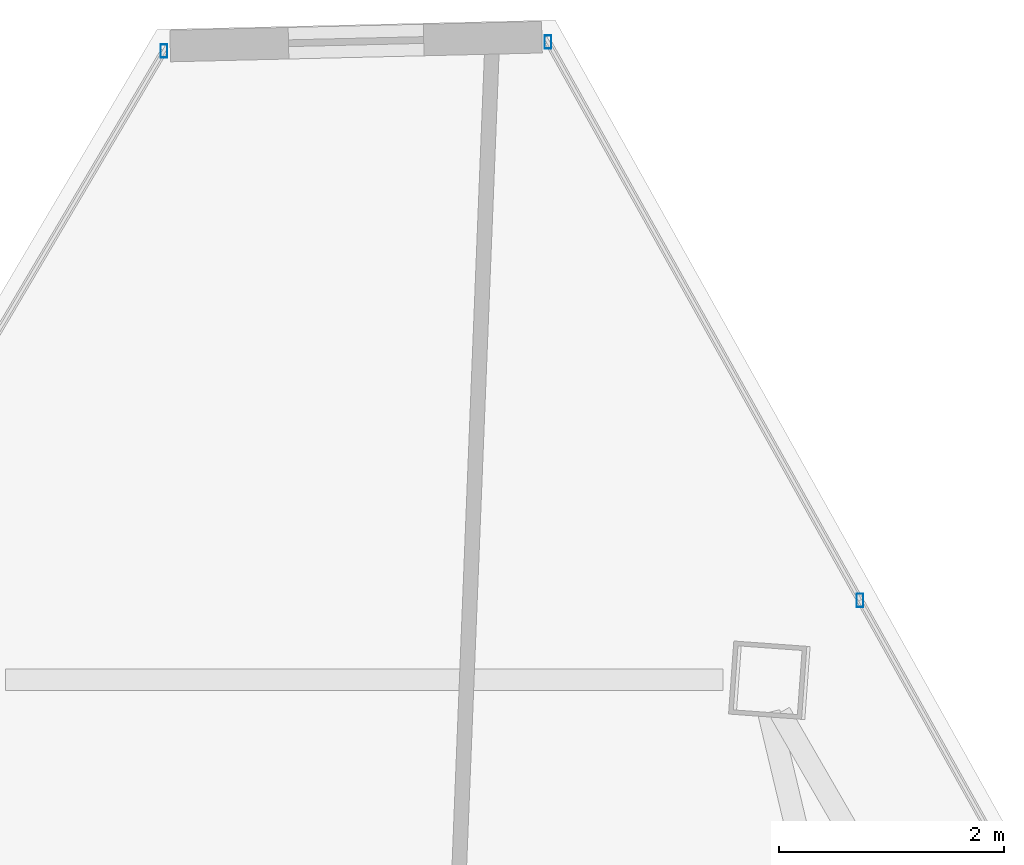
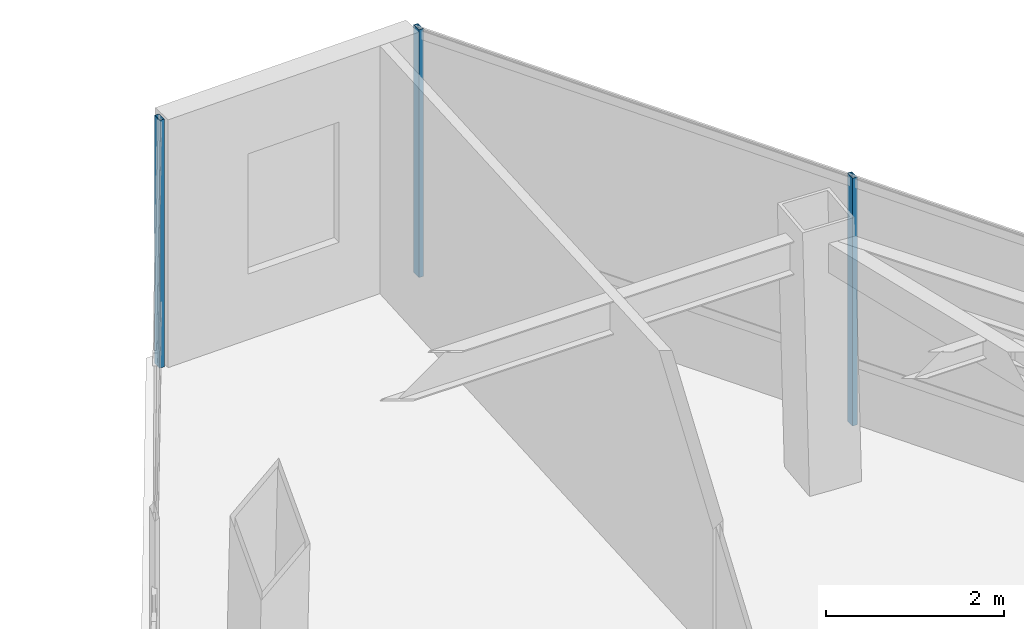
# One storey, part 36 of 45: 3 members, 2 elements without a shape of their own.
"""IFC4 building model written with IfcOpenShell, lengths in metres."""

from ifc_helpers import new_model, si_unit, direction, frame, origin, origin_2d, place, context, subcontext, project, spatial, hollow_rectangle, extrude, source, transform, mapped, material, material_profile, profile_set, type_object, type_shapes, element, aggregate, save


model = new_model("IFC4")

# Units and contexts
model_context = context("Model", 3, precision=1e-05, world=origin(), true_north=direction((0.0, 1.0)))
body_context = subcontext(model_context, "Body", "Model", "MODEL_VIEW")
ifc_project = project(units=[si_unit("LENGTHUNIT", "METRE"), si_unit("AREAUNIT", "SQUARE_METRE"), si_unit("VOLUMEUNIT", "CUBIC_METRE"), si_unit("PLANEANGLEUNIT", "RADIAN"), si_unit("MASSUNIT", "GRAM", prefix="KILO")], contexts=[model_context])

# Site, building, storey
site_placement = place(None, origin())
site = spatial("IfcSite", under=ifc_project, at=site_placement, CompositionType="ELEMENT")
building_placement = place(site_placement, origin())
building = spatial("IfcBuilding", under=site, at=building_placement, Name="Caelisora Broadcast Tower", CompositionType="ELEMENT")
storey_placement = place(building_placement, frame((0.0, 0.0, 266.35009765625)))
storey = spatial("IfcBuildingStorey", under=building, at=storey_placement, Name="L70", CompositionType="ELEMENT", Elevation=266.35009765625)

# Curtain wall, members
ifc_material_1 = material(Name="Unitised Aluminium and Low-E Glass Curtain Wall", Category="glass")
curtain_wall_type = type_object("IfcCurtainWallType", Name="CW-Z5", PredefinedType="NOTDEFINED", material=ifc_material_1)
curtain_wall_1_placement = place(storey_placement, origin())
curtain_wall_1 = element("IfcCurtainWall", 1, at=curtain_wall_1_placement, inside=storey, type_object=curtain_wall_type, Name="L70 curtain wall CW-Z5", PredefinedType="NOTDEFINED")
ifc_material_2 = material(Name="Aluminium 6063-T6 Anodised Terracotta Bronze", Category="aluminium")
ifc_material_profile = material_profile(ifc_material_2, hollow_rectangle(XDim=0.06005859375, YDim=0.1201171875, WallThickness=0.0029296875, at=origin_2d()), Name="Aluminium 6063-T6 Anodised Terracotta Bronze")
ifc_profile_set = profile_set([ifc_material_profile], Name="Aluminium 6063-T6 Anodised Terracotta Bronze")
member_type = type_object("IfcMemberType", Name="CWM-04", PredefinedType="MULLION", material=ifc_profile_set)
shared_shape = source(origin(), body_context, "Body", "SweptSolid", [
    extrude(hollow_rectangle(XDim=0.06005859375, YDim=0.1201171875, WallThickness=0.0029296875, at=origin_2d()), origin(), (0.0, 0.0, 1.0), 3.39990234375),
])
type_shapes(member_type, [shared_shape])
member_1_placement = place(storey_placement, frame((39.63037109375, 52.357421875, 0.0), z_axis=(0.0, 0.0, 1.0), x_axis=(1.0, 0.0, 0.0)))
member_1 = element("IfcMember", 2, at=member_1_placement, type_object=member_type, Name="L70-CW-B01 mullion #0", PredefinedType="MULLION", context=body_context, shape_type="MappedRepresentation", body=[
    mapped(shared_shape, transform((0.0, 0.0, 0.0), scale=1.0)),
])
member_2_placement = place(storey_placement, frame((42.399169921875, 47.402587890625, 0.0), z_axis=(0.0, 0.0, 1.0), x_axis=(1.0, 0.0, 0.0)))
member_2 = element("IfcMember", 3, at=member_2_placement, type_object=member_type, Name="L70-CW-B01 mullion #1", PredefinedType="MULLION", context=body_context, shape_type="MappedRepresentation", body=[
    mapped(shared_shape, transform((0.0, 0.0, 0.0), scale=1.0)),
])
aggregate(curtain_wall_1, [member_1, member_2])

# Curtain wall, member
curtain_wall_2_placement = place(storey_placement, origin())
curtain_wall_2 = element("IfcCurtainWall", 4, at=curtain_wall_2_placement, inside=storey, type_object=curtain_wall_type, Name="L70 curtain wall CW-Z5", PredefinedType="NOTDEFINED")
member_3_placement = place(storey_placement, frame((36.2216796875, 52.27783203125, 0.0), z_axis=(0.0, 0.0, 1.0), x_axis=(1.0, 0.0, 0.0)))
member_3 = element("IfcMember", 5, at=member_3_placement, type_object=member_type, Name="L70-CW-B11 mullion #3", PredefinedType="MULLION", context=body_context, shape_type="MappedRepresentation", body=[
    mapped(shared_shape, transform((0.0, 0.0, 0.0), scale=1.0)),
])
aggregate(curtain_wall_2, [member_3])

save(model, "model.ifc")
